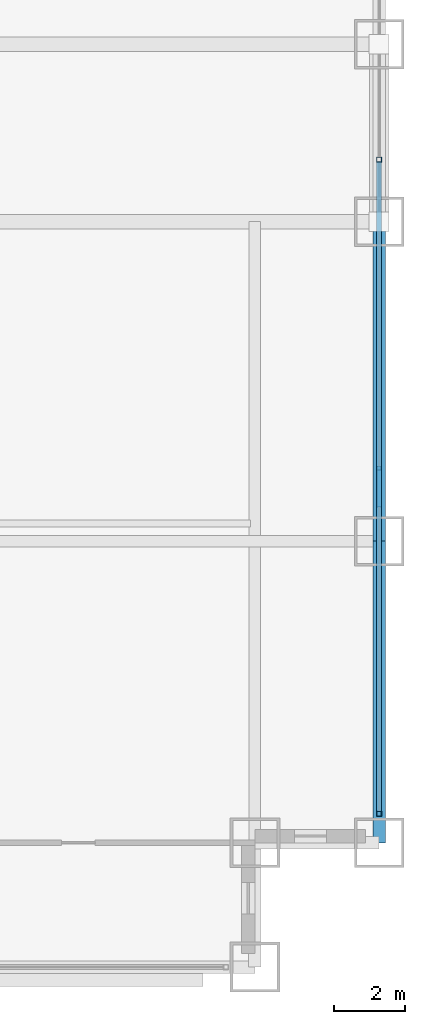
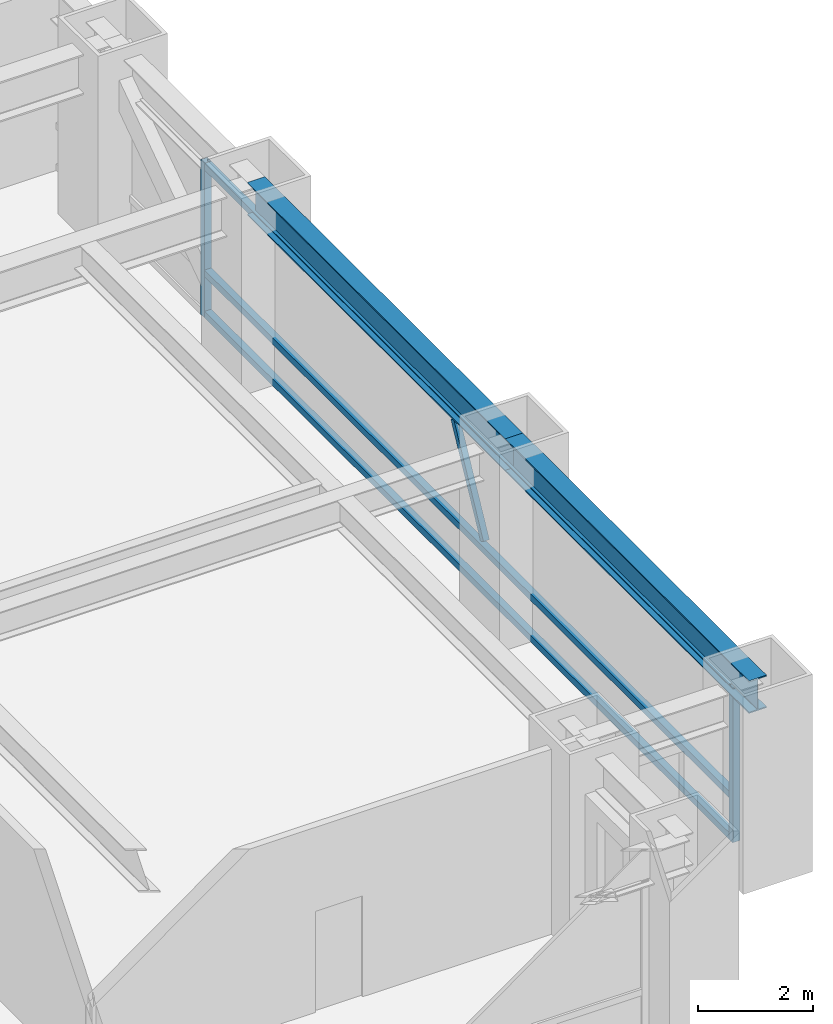
# One storey, part 16 of 31: 6 members, 2 beams, 1 element without a shape of its own.
"""IFC4 building model written with IfcOpenShell, lengths in metres."""

from ifc_helpers import new_model, si_unit, direction, frame, origin, origin_2d, place, context, subcontext, project, spatial, hollow_rectangle, i_section, extrude, source, transform, mapped, material, material_profile, profile_set, type_object, element, aggregate, save


model = new_model("IFC4")

# Units and contexts
model_context = context("Model", 3, precision=1e-05, world=origin(), true_north=direction((0.0, 1.0)))
body_context = subcontext(model_context, "Body", "Model", "MODEL_VIEW")
ifc_project = project(units=[si_unit("LENGTHUNIT", "METRE"), si_unit("AREAUNIT", "SQUARE_METRE"), si_unit("VOLUMEUNIT", "CUBIC_METRE"), si_unit("PLANEANGLEUNIT", "RADIAN"), si_unit("MASSUNIT", "GRAM", prefix="KILO")], contexts=[model_context])

# Site, building, storey
site_placement = place(None, origin())
site = spatial("IfcSite", under=ifc_project, at=site_placement, CompositionType="ELEMENT")
building_placement = place(site_placement, origin())
building = spatial("IfcBuilding", under=site, at=building_placement, Name="Khorayat Bourse Tower", CompositionType="ELEMENT")
storey_placement = place(building_placement, frame((0.0, 0.0, 36.800048828125)))
storey = spatial("IfcBuildingStorey", under=building, at=storey_placement, Name="L07", CompositionType="ELEMENT", Elevation=36.800048828125)

# Beams
ifc_material_1 = material(Name="Steel ASTM A992 Grade 50", Category="steel")
ifc_material_profile_1 = material_profile(ifc_material_1, i_section(OverallWidth=0.35498046875, OverallDepth=0.695068359375, WebThickness=0.015380859375, FlangeThickness=0.02490234375, FilletRadius=0.01806640625, at=origin_2d()), Name="W690X217")
ifc_profile_set_1 = profile_set([ifc_material_profile_1], Name="Steel ASTM A992 Grade 50")
beam_type = type_object("IfcBeamType", Name="BM-SPAN-690", PredefinedType="SPANDREL", material=ifc_profile_set_1)
shared_shape_1 = source(origin(), body_context, "Body", "SweptSolid", [
    extrude(i_section(OverallWidth=0.35498046875, OverallDepth=0.695068359375, WebThickness=0.015380859375, FlangeThickness=0.02490234375, FilletRadius=0.01806640625, at=origin_2d()), origin(), (0.0, 0.0, 1.0), 8.5),
])
beam_1_placement = place(storey_placement, frame((32.0, -28.5, 3.592529296875), z_axis=(0.0, 1.0, 0.0), x_axis=(-1.0, 0.0, 0.0)))
element("IfcBeam", 1, at=beam_1_placement, inside=storey, type_object=beam_type, Name="L07 BM-SPAN-690 BM-L07-SPN-034", PredefinedType="SPANDREL", context=body_context, shape_type="MappedRepresentation", body=[
    mapped(shared_shape_1, transform((0.0, 0.0, 0.0), scale=1.0)),
])
shared_shape_2 = source(origin(), body_context, "Body", "SweptSolid", [
    extrude(i_section(OverallWidth=0.35498046875, OverallDepth=0.695068359375, WebThickness=0.015380859375, FlangeThickness=0.02490234375, FilletRadius=0.01806640625, at=origin_2d()), origin(), (0.0, 0.0, 1.0), 9.0),
])
beam_2_placement = place(storey_placement, frame((32.0, -20.0, 3.592529296875), z_axis=(0.0, 1.0, 0.0), x_axis=(-1.0, 0.0, 0.0)))
element("IfcBeam", 2, at=beam_2_placement, inside=storey, type_object=beam_type, Name="L07 BM-SPAN-690 BM-L07-SPN-035", PredefinedType="SPANDREL", context=body_context, shape_type="MappedRepresentation", body=[
    mapped(shared_shape_2, transform((0.0, 0.0, 0.0), scale=1.0)),
])

# Curtain wall, members
ifc_material_2 = material(Name="Aluminium EN AW-6063 T6", Category="aluminium")
curtain_wall_type = type_object("IfcCurtainWallType", Name="CW-SYS-02", PredefinedType="NOTDEFINED", material=ifc_material_2)
curtain_wall_placement = place(storey_placement, origin())
curtain_wall = element("IfcCurtainWall", 3, at=curtain_wall_placement, inside=storey, type_object=curtain_wall_type, Name="L07 Curtain Wall CW-L07-E1", PredefinedType="NOTDEFINED")
ifc_material_profile_2 = material_profile(ifc_material_2, hollow_rectangle(XDim=0.139892578125, YDim=0.139892578125, WallThickness=0.006103515625, at=origin_2d()), Name="ALU 140x140x6")
ifc_profile_set_2 = profile_set([ifc_material_profile_2], Name="Aluminium EN AW-6063 T6")
member_type_1 = type_object("IfcMemberType", Name="CWT-HORZ-140", PredefinedType="USERDEFINED", material=ifc_profile_set_2)
shared_shape_3 = source(origin(), body_context, "Body", "SweptSolid", [
    extrude(hollow_rectangle(XDim=0.139892578125, YDim=0.139892578125, WallThickness=0.006103515625, at=origin_2d()), origin(), (0.0, 0.0, 1.0), 18.2900390625),
])
member_1_placement = place(storey_placement, frame((32.0, -27.610107421875, 0.070068359375), z_axis=(0.0, 1.0, 0.0), x_axis=(-1.0, 0.0, 0.0)))
member_1 = element("IfcMember", 4, at=member_1_placement, type_object=member_type_1, Name="CW-L07-E1 Horizontal Transom 1-1", ObjectType="TRANSOM", PredefinedType="USERDEFINED", context=body_context, shape_type="MappedRepresentation", body=[
    mapped(shared_shape_3, transform((0.0, 0.0, 0.0), scale=1.0)),
])
member_2_placement = place(storey_placement, frame((32.0, -27.610107421875, 0.949951171875), z_axis=(0.0, 1.0, 0.0), x_axis=(-1.0, 0.0, 0.0)))
member_2 = element("IfcMember", 5, at=member_2_placement, type_object=member_type_1, Name="CW-L07-E1 Horizontal Transom 1-2", ObjectType="TRANSOM", PredefinedType="USERDEFINED", context=body_context, shape_type="MappedRepresentation", body=[
    mapped(shared_shape_3, transform((0.0, 0.0, 0.0), scale=1.0)),
])
member_3_placement = place(storey_placement, frame((32.0, -27.610107421875, 3.219970703125), z_axis=(0.0, 1.0, 0.0), x_axis=(-1.0, 0.0, 0.0)))
member_3 = element("IfcMember", 6, at=member_3_placement, type_object=member_type_1, Name="CW-L07-E1 Horizontal Transom 1-3", ObjectType="TRANSOM", PredefinedType="USERDEFINED", context=body_context, shape_type="MappedRepresentation", body=[
    mapped(shared_shape_3, transform((0.0, 0.0, 0.0), scale=1.0)),
])
ifc_material_profile_3 = material_profile(ifc_material_2, hollow_rectangle(XDim=0.139892578125, YDim=0.139892578125, WallThickness=0.006103515625, at=origin_2d()), Name="ALU 140x140x6")
ifc_profile_set_3 = profile_set([ifc_material_profile_3], Name="Aluminium EN AW-6063 T6")
member_type_2 = type_object("IfcMemberType", Name="CWM-VERT-140", PredefinedType="MULLION", material=ifc_profile_set_3)
shared_shape_4 = source(origin(), body_context, "Body", "SweptSolid", [
    extrude(hollow_rectangle(XDim=0.139892578125, YDim=0.139892578125, WallThickness=0.006103515625, at=origin_2d()), origin(), (0.0, 0.0, 1.0), 3.2900390625),
])
member_4_placement = place(storey_placement, frame((32.0, -27.679931640625, 0.0), z_axis=(0.0, 0.0, 1.0), x_axis=(-1.0, 0.0, 0.0)))
member_4 = element("IfcMember", 7, at=member_4_placement, type_object=member_type_2, Name="CW-L07-E1 Vertical Mullion 1", PredefinedType="MULLION", context=body_context, shape_type="MappedRepresentation", body=[
    mapped(shared_shape_4, transform((0.0, 0.0, 0.0), scale=1.0)),
])
member_5_placement = place(storey_placement, frame((32.0, -9.25, 0.0), z_axis=(0.0, 0.0, 1.0), x_axis=(-1.0, 0.0, 0.0)))
member_5 = element("IfcMember", 8, at=member_5_placement, type_object=member_type_2, Name="CW-L07-E1 Vertical Mullion 2", PredefinedType="MULLION", context=body_context, shape_type="MappedRepresentation", body=[
    mapped(shared_shape_4, transform((0.0, 0.0, 0.0), scale=1.0)),
])
ifc_material_profile_4 = material_profile(ifc_material_2, hollow_rectangle(XDim=0.1201171875, YDim=0.1201171875, WallThickness=0.0048828125, at=origin_2d()), Name="ALU 120x120x5")
ifc_profile_set_4 = profile_set([ifc_material_profile_4], Name="Aluminium EN AW-6063 T6")
member_type_3 = type_object("IfcMemberType", Name="CWM-DIAG-120", PredefinedType="MULLION", material=ifc_profile_set_4)
shared_shape_5 = source(origin(), body_context, "Body", "SweptSolid", [
    extrude(hollow_rectangle(XDim=0.1201171875, YDim=0.1201171875, WallThickness=0.0048828125, at=origin_2d()), origin(), (0.0, 0.0, 1.0), 2.226318359375),
])
member_6_placement = place(storey_placement, frame((32.0, -18.9833984375, 1.099853515625), z_axis=(0.0, 0.465714796031, 0.884934872608), x_axis=(-1.0, 0.0, 0.0)))
member_6 = element("IfcMember", 9, at=member_6_placement, type_object=member_type_3, Name="CW-L07-E1 Faceted Diagonal Mullion 1", PredefinedType="MULLION", context=body_context, shape_type="MappedRepresentation", body=[
    mapped(shared_shape_5, transform((0.0, 0.0, 0.0), scale=1.0)),
])
aggregate(curtain_wall, [member_4, member_5, member_1, member_2, member_3, member_6])

save(model, "model.ifc")
